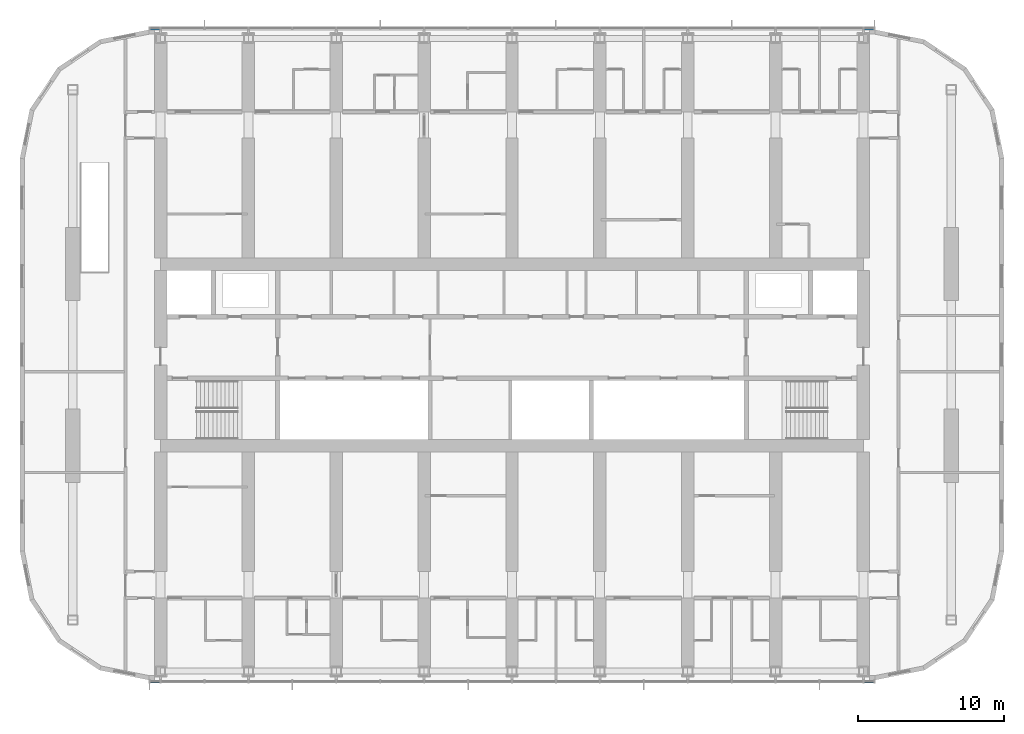
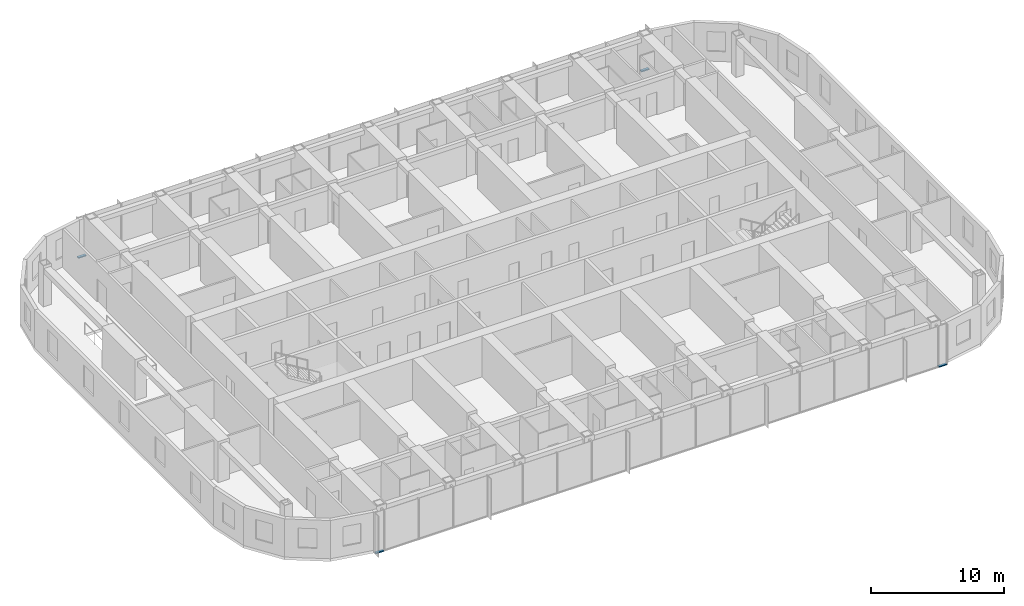
# One storey, part 6 of 22: 4 members, 2 elements without a shape of their own.
"""IFC4 building model written with IfcOpenShell, lengths in metres."""

from ifc_helpers import new_model, si_unit, direction, frame, origin, origin_2d, place, context, subcontext, project, spatial, rectangle, extrude, material, material_profile, profile_set, type_object, element, aggregate, save


model = new_model("IFC4")

# Units and contexts
model_context = context("Model", 3, precision=1e-05, world=origin(), true_north=direction((0.0, 1.0)))
body_context = subcontext(model_context, "Body", "Model", "MODEL_VIEW")
ifc_project = project(units=[si_unit("LENGTHUNIT", "METRE"), si_unit("AREAUNIT", "SQUARE_METRE"), si_unit("VOLUMEUNIT", "CUBIC_METRE"), si_unit("PLANEANGLEUNIT", "RADIAN"), si_unit("MASSUNIT", "GRAM", prefix="KILO")], contexts=[model_context])

# Site, building, storey
site_placement = place(None, origin())
site = spatial("IfcSite", under=ifc_project, at=site_placement, CompositionType="ELEMENT")
building_placement = place(site_placement, origin())
building = spatial("IfcBuilding", under=site, at=building_placement, Name="Orbita Commons", CompositionType="ELEMENT")
storey_placement = place(building_placement, frame((0.0, 0.0, 167.35009765625)))
storey = spatial("IfcBuildingStorey", under=building, at=storey_placement, Name="L41", CompositionType="ELEMENT", Elevation=167.35009765625)

# Curtain wall, members
ifc_material_1 = material(Name="Anodised aluminium frame, pale silver", Category="aluminium")
curtain_wall_type = type_object("IfcCurtainWallType", Name="Unitised curtain wall CW-U, full-height vision", PredefinedType="NOTDEFINED", material=ifc_material_1)
curtain_wall_1_placement = place(storey_placement, origin())
curtain_wall_1 = element("IfcCurtainWall", 1, at=curtain_wall_1_placement, inside=storey, type_object=curtain_wall_type, Name="Curtain wall south L41", PredefinedType="NOTDEFINED")
ifc_material_2 = material(Name="Anodised aluminium, pale silver", Category="aluminium")
ifc_material_profile = material_profile(ifc_material_2, rectangle(XDim=0.219970703125, YDim=0.10009765625, at=origin_2d()), Name="AL 220x100")
ifc_profile_set = profile_set([ifc_material_profile], Name="Anodised aluminium, pale silver")
member_type = type_object("IfcMemberType", Name="Curtain wall stack transom 220x100", PredefinedType="USERDEFINED", material=ifc_profile_set)
member_1_placement = place(storey_placement, frame((17.280029296875, 9.68994140625, -0.2001953125), z_axis=(1.0, 0.0, 0.0), x_axis=(0.0, 1.0, 0.0)))
member_1 = element("IfcMember", 2, at=member_1_placement, type_object=member_type, Name="Transom 1.1 CW-L41-S", ObjectType="TRANSOM", PredefinedType="USERDEFINED", context=body_context, shape_type="SweptSolid", body=[
    extrude(rectangle(XDim=0.219970703125, YDim=0.10009765625, at=origin_2d()), origin(), (0.0, 0.0, 1.0), 0.679931640625),
])
member_2_placement = place(storey_placement, frame((66.0400390625, 9.68994140625, -0.2001953125), z_axis=(1.0, 0.0, 0.0), x_axis=(0.0, 1.0, 0.0)))
member_2 = element("IfcMember", 3, at=member_2_placement, type_object=member_type, Name="Transom 18.1 CW-L41-S", ObjectType="TRANSOM", PredefinedType="USERDEFINED", context=body_context, shape_type="SweptSolid", body=[
    extrude(rectangle(XDim=0.219970703125, YDim=0.10009765625, at=origin_2d()), origin(), (0.0, 0.0, 1.0), 0.679931640625),
])
aggregate(curtain_wall_1, [member_1, member_2])

curtain_wall_2_placement = place(storey_placement, origin())
curtain_wall_2 = element("IfcCurtainWall", 4, at=curtain_wall_2_placement, inside=storey, type_object=curtain_wall_type, Name="Curtain wall north L41", PredefinedType="NOTDEFINED")
member_3_placement = place(storey_placement, frame((66.719970703125, 54.31005859375, -0.2001953125), z_axis=(-1.0, 0.0, 0.0), x_axis=(0.0, -1.0, 0.0)))
member_3 = element("IfcMember", 5, at=member_3_placement, type_object=member_type, Name="Transom 1.1 CW-L41-N", ObjectType="TRANSOM", PredefinedType="USERDEFINED", context=body_context, shape_type="SweptSolid", body=[
    extrude(rectangle(XDim=0.219970703125, YDim=0.10009765625, at=origin_2d()), origin(), (0.0, 0.0, 1.0), 0.679931640625),
])
member_4_placement = place(storey_placement, frame((17.9599609375, 54.31005859375, -0.2001953125), z_axis=(-1.0, 0.0, 0.0), x_axis=(0.0, -1.0, 0.0)))
member_4 = element("IfcMember", 6, at=member_4_placement, type_object=member_type, Name="Transom 18.1 CW-L41-N", ObjectType="TRANSOM", PredefinedType="USERDEFINED", context=body_context, shape_type="SweptSolid", body=[
    extrude(rectangle(XDim=0.219970703125, YDim=0.10009765625, at=origin_2d()), origin(), (0.0, 0.0, 1.0), 0.679931640625),
])
aggregate(curtain_wall_2, [member_3, member_4])

save(model, "model.ifc")
